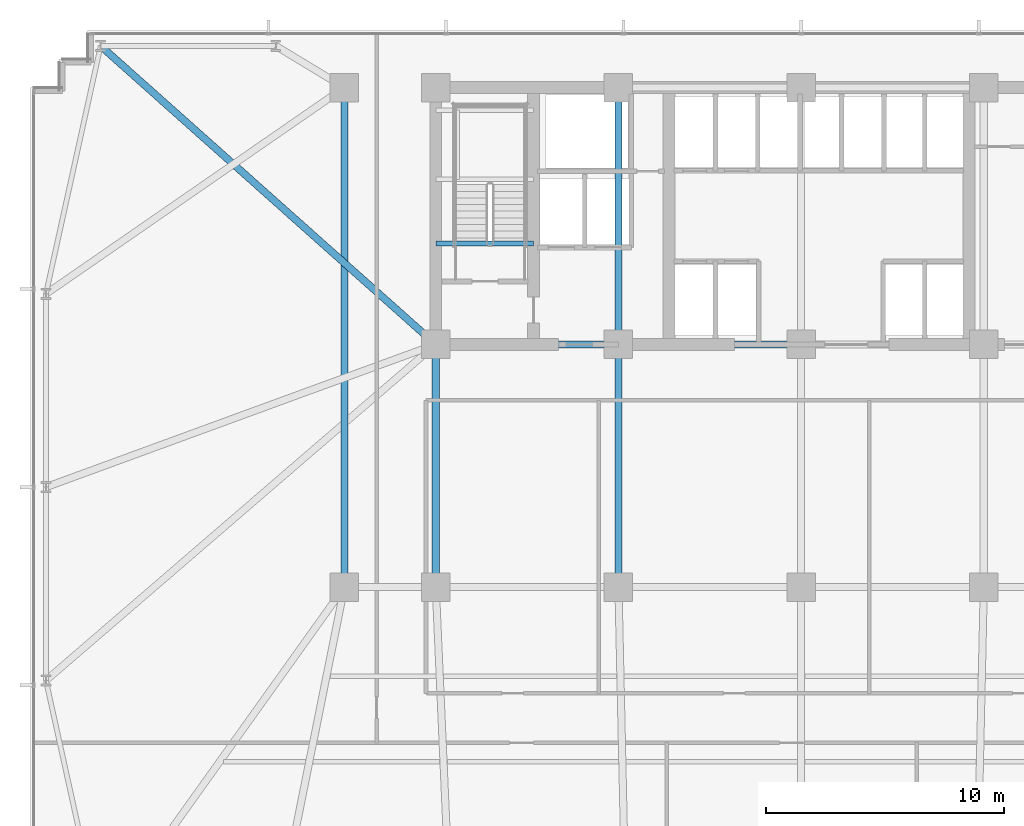
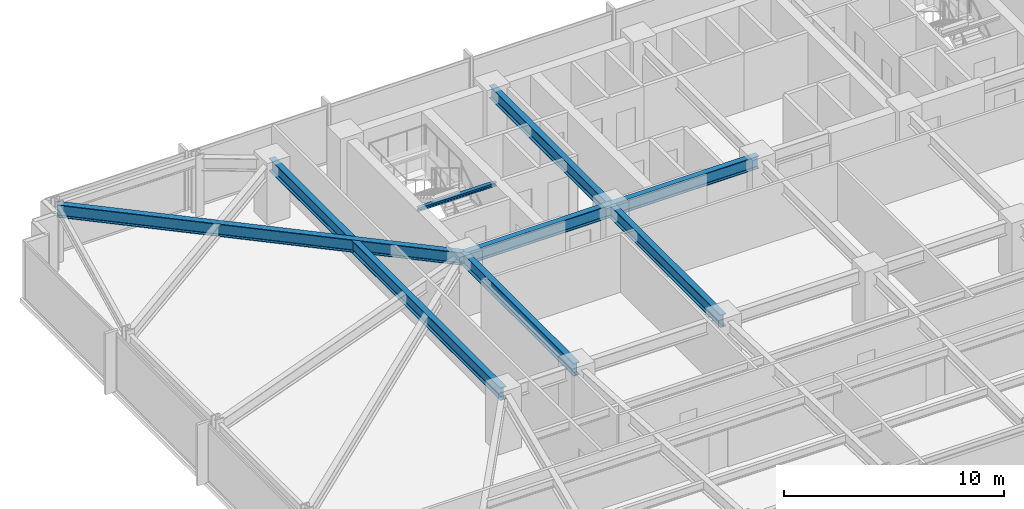
# One storey, part 10 of 32: 8 beams.
"""IFC4 building model written with IfcOpenShell, lengths in metres."""

import ifcopenshell
import ifcopenshell.guid

model = None  # the IFC model being written
_history = None  # IfcOwnerHistory: only IFC2X3 demands one
_inside = {}  # id of a spatial element -> (the spatial element, [elements in it])
_under = {}  # id of a project, library or spatial element -> (it, [spatial elements below it])
_declared = {}  # id of a project -> (the project, [libraries it declares])
_typed = {}  # id of a type object -> (the type object, [elements of that type])
_made_of = {}  # id of a material, layer set ... -> (it, [elements and type objects made of it])


def new_model(schema):
    """Start an empty IFC model of exactly this schema.

    Asked for "IFC4X3", IfcOpenShell would pick the latest addendum, in which some entities
    have other attributes; the version numbers below select the first issue.
    IFC2X3 requires an IfcOwnerHistory on every rooted entity: one is made here for all.
    """
    global model, _history
    if schema == "IFC4X3":
        model = ifcopenshell.file(schema_version=(4, 3, 0, 0))
    else:
        model = ifcopenshell.file(schema=schema)
    _inside.clear()
    _under.clear()
    _declared.clear()
    _typed.clear()
    _made_of.clear()
    _history = None
    if model.schema == "IFC2X3":
        org = make("IfcOrganization", Name="unknown")
        user = make(
            "IfcPersonAndOrganization",
            ThePerson=make("IfcPerson", FamilyName="unknown"),
            TheOrganization=org,
        )
        app = make(
            "IfcApplication",
            ApplicationDeveloper=org,
            Version="unknown",
            ApplicationFullName="unknown",
            ApplicationIdentifier="unknown",
        )
        _history = make(
            "IfcOwnerHistory",
            OwningUser=user,
            OwningApplication=app,
            ChangeAction="ADDED",
            CreationDate=0,
        )
    return model


def make(cls, **values):
    """One entity of the class cls with the attributes given. An attribute that is None is left unset."""
    return model.create_entity(
        cls, **{name: value for name, value in values.items() if value is not None}
    )


def rooted(cls, **values):
    """An entity with a GlobalId (a new one), such as an element, a storey or a relation."""
    return make(cls, GlobalId=ifcopenshell.guid.new(), OwnerHistory=_history, **values)


def si_unit(unit_type, name, prefix=None):
    """IfcSIUnit, for example si_unit("LENGTHUNIT", "METRE", prefix="MILLI")."""
    return make("IfcSIUnit", UnitType=unit_type, Prefix=prefix, Name=name)


def assignment(units):
    """IfcUnitAssignment: the units of a project."""
    return None if units is None else make("IfcUnitAssignment", Units=units)


def point(xyz):
    """IfcCartesianPoint."""
    return None if xyz is None else make("IfcCartesianPoint", Coordinates=xyz)


def direction(xyz):
    """IfcDirection."""
    return None if xyz is None else make("IfcDirection", DirectionRatios=xyz)


def frame(location, z_axis=None, x_axis=None):
    """IfcAxis2Placement3D, a coordinate frame: its origin and axes. An axis left out is left unset."""
    return make(
        "IfcAxis2Placement3D",
        Location=point(location),
        Axis=direction(z_axis),
        RefDirection=direction(x_axis),
    )


def frame_2d(location, x_axis=None):
    """IfcAxis2Placement2D, a coordinate frame in the plane: its origin and x axis."""
    return make(
        "IfcAxis2Placement2D", Location=point(location), RefDirection=direction(x_axis)
    )


def origin():
    """The frame at (0, 0, 0) with its axes left unset."""
    return frame((0.0, 0.0, 0.0))


def origin_2d():
    """The frame at (0, 0) in the plane with its x axis left unset."""
    return frame_2d((0.0, 0.0))


def place(relative_to, where):
    """IfcLocalPlacement: puts the frame where relative to a parent placement (None: the world)."""
    return make(
        "IfcLocalPlacement", PlacementRelTo=relative_to, RelativePlacement=where
    )


def context(
    kind, dimensions, precision=None, world=None, true_north=None, identifier=None
):
    """IfcGeometricRepresentationContext, for example the 3D "Model" context."""
    return make(
        "IfcGeometricRepresentationContext",
        ContextIdentifier=identifier,
        ContextType=kind,
        CoordinateSpaceDimension=dimensions,
        Precision=precision,
        WorldCoordinateSystem=world,
        TrueNorth=true_north,
    )


def subcontext(parent, identifier, kind, view, scale=None):
    """IfcGeometricRepresentationSubContext, for example "Body" below "Model"."""
    return make(
        "IfcGeometricRepresentationSubContext",
        ContextIdentifier=identifier,
        ContextType=kind,
        ParentContext=parent,
        TargetScale=scale,
        TargetView=view,
    )


def project(units=None, contexts=None):
    """IfcProject with its units and contexts."""
    return rooted(
        "IfcProject",
        Name="project",
        RepresentationContexts=contexts,
        UnitsInContext=assignment(units),
    )


def spatial(cls, under=None, at=None, **own):
    """A site, building, storey or space (cls), placed at a placement, below another one or the project."""
    s = rooted(cls, ObjectPlacement=at, **own)
    if under is not None:
        _under.setdefault(under.id(), (under, []))[1].append(s)
    return s


def profile(cls, at=None, kind="AREA", **sizes):
    """A parametric profile (cls). Its sizes go by their IFC names, for example OverallWidth=200.0."""
    return make(cls, ProfileType=kind, Position=at, **sizes)


def i_section(**sizes):
    """IfcIShapeProfileDef."""
    return profile("IfcIShapeProfileDef", **sizes)


def extrude(swept, where, along, depth):
    """IfcExtrudedAreaSolid: the profile swept, set in the frame where, extruded along a direction by depth."""
    return make(
        "IfcExtrudedAreaSolid",
        SweptArea=swept,
        Position=where,
        ExtrudedDirection=direction(along),
        Depth=depth,
    )


def shape(context_of_items, identifier, shape_type, items):
    """IfcShapeRepresentation: the items that make up one representation, for example the "Body"."""
    return make(
        "IfcShapeRepresentation",
        ContextOfItems=context_of_items,
        RepresentationIdentifier=identifier,
        RepresentationType=shape_type,
        Items=items,
    )


def material(Name=None, Category=None):
    """IfcMaterial."""
    return make("IfcMaterial", Name=Name, Category=Category)


def material_profile(
    of_material, cross_section, Name=None, Category=None, Priority=None
):
    """IfcMaterialProfile: a cross section and its material."""
    return make(
        "IfcMaterialProfile",
        Name=Name,
        Material=of_material,
        Profile=cross_section,
        Priority=Priority,
        Category=Category,
    )


def profile_set(profiles, Name=None, composite=None):
    """IfcMaterialProfileSet."""
    return make(
        "IfcMaterialProfileSet",
        Name=Name,
        MaterialProfiles=profiles,
        CompositeProfile=composite,
    )


def made_of(thing, what):
    """Note that an element or type object is made of a material, layer set ...; save() writes the relation."""
    if what is not None:
        _made_of.setdefault(what.id(), (what, []))[1].append(thing)
    return thing


def type_object(cls, material=None, **own):
    """A type object (cls), such as IfcWallType, which elements share."""
    return made_of(rooted(cls, **own), material)


def element(
    cls,
    number,
    at=None,
    inside=None,
    cuts=None,
    type_object=None,
    material=None,
    context=None,
    identifier="Body",
    shape_type=None,
    held_by="IfcProductDefinitionShape",
    body=None,
    shapes=None,
    **own,
):
    """One element of the class cls, such as IfcWall. Its Tag is "e" and its number.

    at: its placement. inside: the storey or other place that contains it. cuts: it is an
    opening in that element (IfcRelVoidsElement). A single representation is given by context,
    identifier, shape_type and body (its items); several are given by shapes. held_by: the class
    of the entity that holds the representations. save() writes the other relations.
    """
    e = rooted(cls, Tag="e%d" % number, ObjectPlacement=at, **own)
    if body is not None:
        shapes = [shape(context, identifier, shape_type, body)]
    if shapes is not None:
        e.Representation = make(held_by, Representations=shapes)
    if inside is not None:
        _inside.setdefault(inside.id(), (inside, []))[1].append(e)
    if cuts is not None:
        rooted(
            "IfcRelVoidsElement", RelatingBuildingElement=cuts, RelatedOpeningElement=e
        )
    if type_object is not None:
        _typed.setdefault(type_object.id(), (type_object, []))[1].append(e)
    return made_of(e, material)


def aggregate(whole, parts):
    """IfcRelAggregates: a whole, such as a stair, and the parts it consists of."""
    return rooted("IfcRelAggregates", RelatingObject=whole, RelatedObjects=parts)


def save(model, path):
    """Write the relations noted so far, then the file.

    IfcRelAggregates (storeys below a building ...), IfcRelContainedInSpatialStructure (elements
    in a storey), IfcRelDefinesByType, IfcRelAssociatesMaterial and IfcRelDeclares: one each for
    every whole, place, type object, material and project.
    """
    for whole, parts in _under.values():
        aggregate(whole, parts)
    for where, things in _inside.values():
        rooted(
            "IfcRelContainedInSpatialStructure",
            RelatedElements=things,
            RelatingStructure=where,
        )
    for kind, things in _typed.values():
        rooted("IfcRelDefinesByType", RelatedObjects=things, RelatingType=kind)
    for what, things in _made_of.values():
        rooted("IfcRelAssociatesMaterial", RelatedObjects=things, RelatingMaterial=what)
    for by, libraries in _declared.values():
        rooted("IfcRelDeclares", RelatingContext=by, RelatedDefinitions=libraries)
    model.write(path)


model = new_model("IFC4")

# Units and contexts
model_context = context("Model", 3, precision=1e-05, world=origin(), true_north=direction((0.0, 1.0)))
body_context = subcontext(model_context, "Body", "Model", "MODEL_VIEW")
ifc_project = project(units=[si_unit("LENGTHUNIT", "METRE"), si_unit("AREAUNIT", "SQUARE_METRE"), si_unit("VOLUMEUNIT", "CUBIC_METRE"), si_unit("PLANEANGLEUNIT", "RADIAN"), si_unit("MASSUNIT", "GRAM", prefix="KILO")], contexts=[model_context])

# Site, building, storey
site_placement = place(None, origin())
site = spatial("IfcSite", under=ifc_project, at=site_placement, CompositionType="ELEMENT")
building_placement = place(site_placement, origin())
building = spatial("IfcBuilding", under=site, at=building_placement, Name="Yelkora Congress Tower", CompositionType="ELEMENT")
storey_placement = place(building_placement, frame((0.0, 0.0, 33.800048828125)))
storey = spatial("IfcBuildingStorey", under=building, at=storey_placement, Name="L07", CompositionType="ELEMENT", Elevation=33.800048828125)

# Beams
ifc_material = material(Name="Steel S355J2", Category="steel")
ifc_material_profile_1 = material_profile(ifc_material, i_section(OverallWidth=0.300048828125, OverallDepth=0.699951171875, WebThickness=0.01708984375, FlangeThickness=0.031982421875, FilletRadius=0.027099609375, at=origin_2d()), Name="HEB 700")
ifc_profile_set_1 = profile_set([ifc_material_profile_1], Name="Steel S355J2")
beam_type_1 = type_object("IfcBeamType", Name="BM-GIRD-HEB700", PredefinedType="BEAM", material=ifc_profile_set_1)
for number, where, z_axis, x_axis, name in (
    (1, (23.0400390625, 35.39990234375, 2.829833984375), (1.0, 0.0, 0.0), (0.0, 1.0, 0.0), "L07 Core South Girder 1"),
    (2, (30.719970703125, 35.39990234375, 2.829833984375), (1.0, 0.0, 0.0), (0.0, 1.0, 0.0), "L07 Core South Girder 2"),
):
    element("IfcBeam", number, at=place(storey_placement, frame(where, z_axis=z_axis, x_axis=x_axis)), inside=storey, type_object=beam_type_1, Name=name, PredefinedType="BEAM", context=body_context, shape_type="SweptSolid", body=[
        extrude(i_section(OverallWidth=0.300048828125, OverallDepth=0.699951171875, WebThickness=0.01708984375, FlangeThickness=0.031982421875, FilletRadius=0.027099609375, at=origin_2d()), origin(), (0.0, 0.0, 1.0), 7.679931640625),
    ])
for number, where, z_axis, x_axis, name in (
    (3, (23.0400390625, 25.199951171875, 2.829833984375), (0.0, 1.0, 0.0), (-1.0, 0.0, 0.0), "L07 Core Tie Girder MC-D1"),
    (4, (30.719970703125, 25.199951171875, 2.829833984375), (0.0, 1.0, 0.0), (-1.0, 0.0, 0.0), "L07 Core Tie Girder MC-D2"),
):
    element("IfcBeam", number, at=place(storey_placement, frame(where, z_axis=z_axis, x_axis=x_axis)), inside=storey, type_object=beam_type_1, Name=name, PredefinedType="BEAM", context=body_context, shape_type="SweptSolid", body=[
        extrude(i_section(OverallWidth=0.300048828125, OverallDepth=0.699951171875, WebThickness=0.01708984375, FlangeThickness=0.031982421875, FilletRadius=0.027099609375, at=origin_2d()), origin(), (0.0, 0.0, 1.0), 10.199951171875),
    ])
beam_1_placement = place(storey_placement, frame((30.719970703125, 35.39990234375, 2.829833984375), z_axis=(0.0, 1.0, 0.0), x_axis=(-1.0, 0.0, 0.0)))
element("IfcBeam", 5, at=beam_1_placement, inside=storey, type_object=beam_type_1, Name="L07 Core Tie Girder MC-S2", PredefinedType="BEAM", context=body_context, shape_type="SweptSolid", body=[
    extrude(i_section(OverallWidth=0.300048828125, OverallDepth=0.699951171875, WebThickness=0.01708984375, FlangeThickness=0.031982421875, FilletRadius=0.027099609375, at=origin_2d()), origin(), (0.0, 0.0, 1.0), 10.800048828125),
])
beam_2_placement = place(storey_placement, frame((19.199951171875, 25.199951171875, 2.829833984375), z_axis=(0.0, 1.0, 0.0), x_axis=(-1.0, 0.0, 0.0)))
element("IfcBeam", 6, at=beam_2_placement, inside=storey, type_object=beam_type_1, Name="L07 Neck Flank Girder MC-F1", PredefinedType="BEAM", context=body_context, shape_type="SweptSolid", body=[
    extrude(i_section(OverallWidth=0.300048828125, OverallDepth=0.699951171875, WebThickness=0.01708984375, FlangeThickness=0.031982421875, FilletRadius=0.027099609375, at=origin_2d()), origin(), (0.0, 0.0, 1.0), 21.0),
])
beam_3_placement = place(storey_placement, frame((8.949951171875, 47.949951171875, 2.829833984375), z_axis=(0.746737189621, -0.665119214605, 0.0), x_axis=(0.665119214605, 0.746737189621, 0.0)))
element("IfcBeam", 7, at=beam_3_placement, inside=storey, type_object=beam_type_1, Name="L07 Primary Frame Girder N01", PredefinedType="BEAM", context=body_context, shape_type="SweptSolid", body=[
    extrude(i_section(OverallWidth=0.300048828125, OverallDepth=0.699951171875, WebThickness=0.01708984375, FlangeThickness=0.031982421875, FilletRadius=0.027099609375, at=origin_2d()), origin(), (0.0, 0.0, 1.0), 18.868896484375),
])
ifc_material_profile_2 = material_profile(ifc_material, i_section(OverallWidth=0.199951171875, OverallDepth=0.18994140625, WebThickness=0.006591796875, FlangeThickness=0.010009765625, FilletRadius=0.01806640625, at=origin_2d()), Name="HEA 200")
ifc_profile_set_2 = profile_set([ifc_material_profile_2], Name="Steel S355J2")
beam_type_2 = type_object("IfcBeamType", Name="BM-LAND-HEA200", PredefinedType="BEAM", material=ifc_profile_set_2)
beam_4_placement = place(storey_placement, frame((23.0400390625, 39.639892578125, 2.947265625), z_axis=(1.0, 0.0, 0.0), x_axis=(0.0, 1.0, 0.0)))
element("IfcBeam", 8, at=beam_4_placement, inside=storey, type_object=beam_type_2, Name="ST-01 L07 Floor Arrival Stringer Header Beam", PredefinedType="BEAM", context=body_context, shape_type="SweptSolid", body=[
    extrude(i_section(OverallWidth=0.199951171875, OverallDepth=0.18994140625, WebThickness=0.006591796875, FlangeThickness=0.010009765625, FilletRadius=0.01806640625, at=origin_2d()), origin(), (0.0, 0.0, 1.0), 4.10986328125),
])

save(model, "model.ifc")
